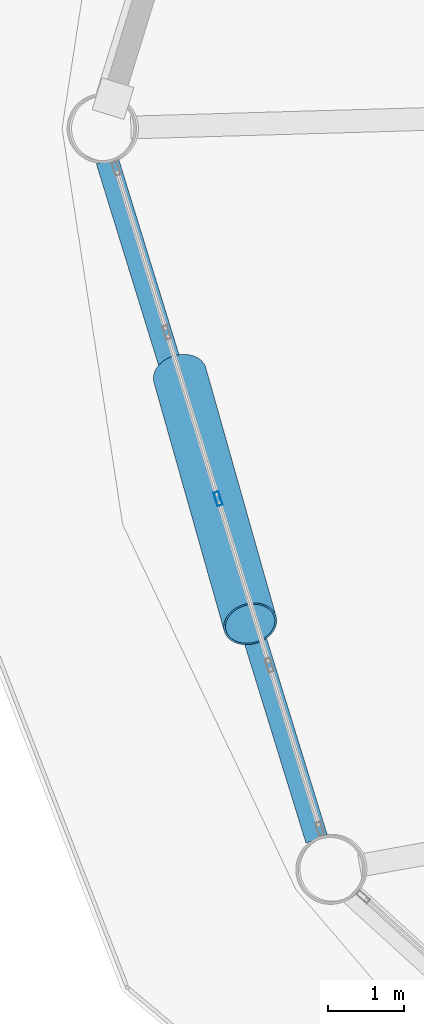
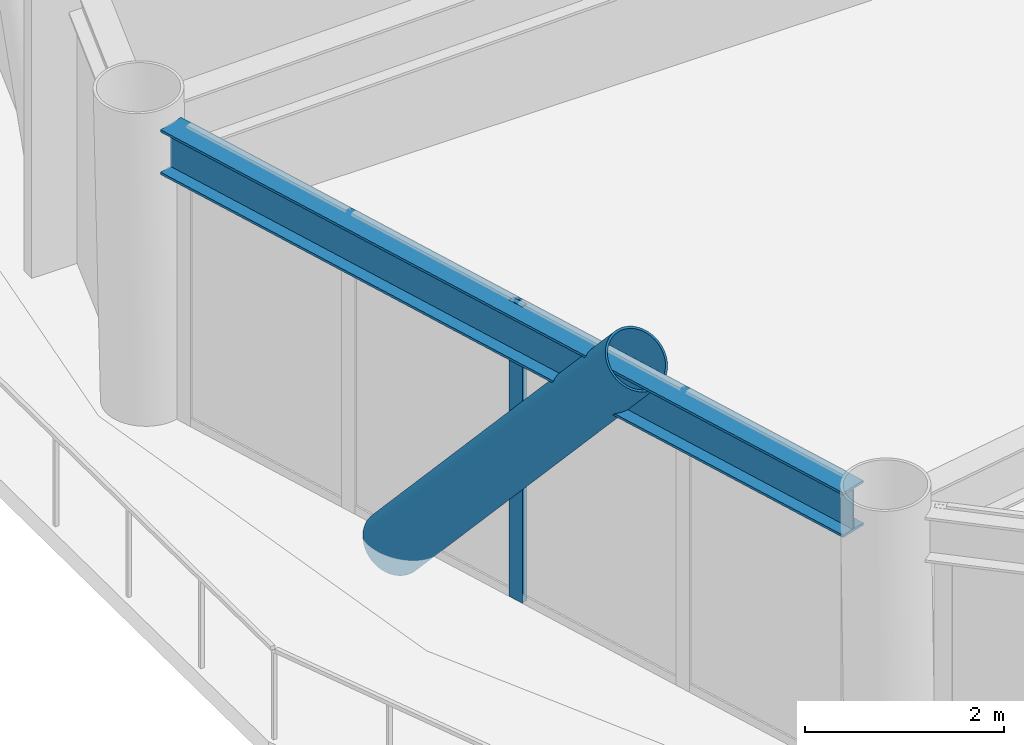
# One storey, part 3 of 22: 2 members, 1 beam, 1 element without a shape of its own.
"""IFC4 building model written with IfcOpenShell, lengths in metres."""

import ifcopenshell
import ifcopenshell.guid

model = None  # the IFC model being written
_history = None  # IfcOwnerHistory: only IFC2X3 demands one
_inside = {}  # id of a spatial element -> (the spatial element, [elements in it])
_under = {}  # id of a project, library or spatial element -> (it, [spatial elements below it])
_declared = {}  # id of a project -> (the project, [libraries it declares])
_typed = {}  # id of a type object -> (the type object, [elements of that type])
_made_of = {}  # id of a material, layer set ... -> (it, [elements and type objects made of it])


def new_model(schema):
    """Start an empty IFC model of exactly this schema.

    Asked for "IFC4X3", IfcOpenShell would pick the latest addendum, in which some entities
    have other attributes; the version numbers below select the first issue.
    IFC2X3 requires an IfcOwnerHistory on every rooted entity: one is made here for all.
    """
    global model, _history
    if schema == "IFC4X3":
        model = ifcopenshell.file(schema_version=(4, 3, 0, 0))
    else:
        model = ifcopenshell.file(schema=schema)
    _inside.clear()
    _under.clear()
    _declared.clear()
    _typed.clear()
    _made_of.clear()
    _history = None
    if model.schema == "IFC2X3":
        org = make("IfcOrganization", Name="unknown")
        user = make(
            "IfcPersonAndOrganization",
            ThePerson=make("IfcPerson", FamilyName="unknown"),
            TheOrganization=org,
        )
        app = make(
            "IfcApplication",
            ApplicationDeveloper=org,
            Version="unknown",
            ApplicationFullName="unknown",
            ApplicationIdentifier="unknown",
        )
        _history = make(
            "IfcOwnerHistory",
            OwningUser=user,
            OwningApplication=app,
            ChangeAction="ADDED",
            CreationDate=0,
        )
    return model


def make(cls, **values):
    """One entity of the class cls with the attributes given. An attribute that is None is left unset."""
    return model.create_entity(
        cls, **{name: value for name, value in values.items() if value is not None}
    )


def rooted(cls, **values):
    """An entity with a GlobalId (a new one), such as an element, a storey or a relation."""
    return make(cls, GlobalId=ifcopenshell.guid.new(), OwnerHistory=_history, **values)


def si_unit(unit_type, name, prefix=None):
    """IfcSIUnit, for example si_unit("LENGTHUNIT", "METRE", prefix="MILLI")."""
    return make("IfcSIUnit", UnitType=unit_type, Prefix=prefix, Name=name)


def assignment(units):
    """IfcUnitAssignment: the units of a project."""
    return None if units is None else make("IfcUnitAssignment", Units=units)


def point(xyz):
    """IfcCartesianPoint."""
    return None if xyz is None else make("IfcCartesianPoint", Coordinates=xyz)


def direction(xyz):
    """IfcDirection."""
    return None if xyz is None else make("IfcDirection", DirectionRatios=xyz)


def frame(location, z_axis=None, x_axis=None):
    """IfcAxis2Placement3D, a coordinate frame: its origin and axes. An axis left out is left unset."""
    return make(
        "IfcAxis2Placement3D",
        Location=point(location),
        Axis=direction(z_axis),
        RefDirection=direction(x_axis),
    )


def frame_2d(location, x_axis=None):
    """IfcAxis2Placement2D, a coordinate frame in the plane: its origin and x axis."""
    return make(
        "IfcAxis2Placement2D", Location=point(location), RefDirection=direction(x_axis)
    )


def origin():
    """The frame at (0, 0, 0) with its axes left unset."""
    return frame((0.0, 0.0, 0.0))


def origin_2d():
    """The frame at (0, 0) in the plane with its x axis left unset."""
    return frame_2d((0.0, 0.0))


def place(relative_to, where):
    """IfcLocalPlacement: puts the frame where relative to a parent placement (None: the world)."""
    return make(
        "IfcLocalPlacement", PlacementRelTo=relative_to, RelativePlacement=where
    )


def context(
    kind, dimensions, precision=None, world=None, true_north=None, identifier=None
):
    """IfcGeometricRepresentationContext, for example the 3D "Model" context."""
    return make(
        "IfcGeometricRepresentationContext",
        ContextIdentifier=identifier,
        ContextType=kind,
        CoordinateSpaceDimension=dimensions,
        Precision=precision,
        WorldCoordinateSystem=world,
        TrueNorth=true_north,
    )


def subcontext(parent, identifier, kind, view, scale=None):
    """IfcGeometricRepresentationSubContext, for example "Body" below "Model"."""
    return make(
        "IfcGeometricRepresentationSubContext",
        ContextIdentifier=identifier,
        ContextType=kind,
        ParentContext=parent,
        TargetScale=scale,
        TargetView=view,
    )


def project(units=None, contexts=None):
    """IfcProject with its units and contexts."""
    return rooted(
        "IfcProject",
        Name="project",
        RepresentationContexts=contexts,
        UnitsInContext=assignment(units),
    )


def spatial(cls, under=None, at=None, **own):
    """A site, building, storey or space (cls), placed at a placement, below another one or the project."""
    s = rooted(cls, ObjectPlacement=at, **own)
    if under is not None:
        _under.setdefault(under.id(), (under, []))[1].append(s)
    return s


def profile(cls, at=None, kind="AREA", **sizes):
    """A parametric profile (cls). Its sizes go by their IFC names, for example OverallWidth=200.0."""
    return make(cls, ProfileType=kind, Position=at, **sizes)


def hollow_rectangle(**sizes):
    """IfcRectangleHollowProfileDef."""
    return profile("IfcRectangleHollowProfileDef", **sizes)


def hollow_circle(**sizes):
    """IfcCircleHollowProfileDef."""
    return profile("IfcCircleHollowProfileDef", **sizes)


def i_section(**sizes):
    """IfcIShapeProfileDef."""
    return profile("IfcIShapeProfileDef", **sizes)


def extrude(swept, where, along, depth):
    """IfcExtrudedAreaSolid: the profile swept, set in the frame where, extruded along a direction by depth."""
    return make(
        "IfcExtrudedAreaSolid",
        SweptArea=swept,
        Position=where,
        ExtrudedDirection=direction(along),
        Depth=depth,
    )


def shape(context_of_items, identifier, shape_type, items):
    """IfcShapeRepresentation: the items that make up one representation, for example the "Body"."""
    return make(
        "IfcShapeRepresentation",
        ContextOfItems=context_of_items,
        RepresentationIdentifier=identifier,
        RepresentationType=shape_type,
        Items=items,
    )


def material(Name=None, Category=None):
    """IfcMaterial."""
    return make("IfcMaterial", Name=Name, Category=Category)


def layer(
    of_material, thickness, ventilated=None, Name=None, Category=None, Priority=None
):
    """IfcMaterialLayer: one layer of a wall or slab, of a material (None: an air gap)."""
    return make(
        "IfcMaterialLayer",
        Material=of_material,
        LayerThickness=thickness,
        IsVentilated=ventilated,
        Name=Name,
        Category=Category,
        Priority=Priority,
    )


def layer_set(layers, Name=None):
    """IfcMaterialLayerSet."""
    return make("IfcMaterialLayerSet", MaterialLayers=layers, LayerSetName=Name)


def material_profile(
    of_material, cross_section, Name=None, Category=None, Priority=None
):
    """IfcMaterialProfile: a cross section and its material."""
    return make(
        "IfcMaterialProfile",
        Name=Name,
        Material=of_material,
        Profile=cross_section,
        Priority=Priority,
        Category=Category,
    )


def profile_set(profiles, Name=None, composite=None):
    """IfcMaterialProfileSet."""
    return make(
        "IfcMaterialProfileSet",
        Name=Name,
        MaterialProfiles=profiles,
        CompositeProfile=composite,
    )


def made_of(thing, what):
    """Note that an element or type object is made of a material, layer set ...; save() writes the relation."""
    if what is not None:
        _made_of.setdefault(what.id(), (what, []))[1].append(thing)
    return thing


def type_object(cls, material=None, **own):
    """A type object (cls), such as IfcWallType, which elements share."""
    return made_of(rooted(cls, **own), material)


def element(
    cls,
    number,
    at=None,
    inside=None,
    cuts=None,
    type_object=None,
    material=None,
    context=None,
    identifier="Body",
    shape_type=None,
    held_by="IfcProductDefinitionShape",
    body=None,
    shapes=None,
    **own,
):
    """One element of the class cls, such as IfcWall. Its Tag is "e" and its number.

    at: its placement. inside: the storey or other place that contains it. cuts: it is an
    opening in that element (IfcRelVoidsElement). A single representation is given by context,
    identifier, shape_type and body (its items); several are given by shapes. held_by: the class
    of the entity that holds the representations. save() writes the other relations.
    """
    e = rooted(cls, Tag="e%d" % number, ObjectPlacement=at, **own)
    if body is not None:
        shapes = [shape(context, identifier, shape_type, body)]
    if shapes is not None:
        e.Representation = make(held_by, Representations=shapes)
    if inside is not None:
        _inside.setdefault(inside.id(), (inside, []))[1].append(e)
    if cuts is not None:
        rooted(
            "IfcRelVoidsElement", RelatingBuildingElement=cuts, RelatedOpeningElement=e
        )
    if type_object is not None:
        _typed.setdefault(type_object.id(), (type_object, []))[1].append(e)
    return made_of(e, material)


def aggregate(whole, parts):
    """IfcRelAggregates: a whole, such as a stair, and the parts it consists of."""
    return rooted("IfcRelAggregates", RelatingObject=whole, RelatedObjects=parts)


def save(model, path):
    """Write the relations noted so far, then the file.

    IfcRelAggregates (storeys below a building ...), IfcRelContainedInSpatialStructure (elements
    in a storey), IfcRelDefinesByType, IfcRelAssociatesMaterial and IfcRelDeclares: one each for
    every whole, place, type object, material and project.
    """
    for whole, parts in _under.values():
        aggregate(whole, parts)
    for where, things in _inside.values():
        rooted(
            "IfcRelContainedInSpatialStructure",
            RelatedElements=things,
            RelatingStructure=where,
        )
    for kind, things in _typed.values():
        rooted("IfcRelDefinesByType", RelatedObjects=things, RelatingType=kind)
    for what, things in _made_of.values():
        rooted("IfcRelAssociatesMaterial", RelatedObjects=things, RelatingMaterial=what)
    for by, libraries in _declared.values():
        rooted("IfcRelDeclares", RelatingContext=by, RelatedDefinitions=libraries)
    model.write(path)


model = new_model("IFC4")

# Units and contexts
model_context = context("Model", 3, precision=1e-05, world=origin(), true_north=direction((0.0, 1.0)))
body_context = subcontext(model_context, "Body", "Model", "MODEL_VIEW")
ifc_project = project(units=[si_unit("LENGTHUNIT", "METRE"), si_unit("AREAUNIT", "SQUARE_METRE"), si_unit("VOLUMEUNIT", "CUBIC_METRE"), si_unit("PLANEANGLEUNIT", "RADIAN"), si_unit("MASSUNIT", "GRAM", prefix="KILO")], contexts=[model_context])

# Site, building, storey
site_placement = place(None, origin())
site = spatial("IfcSite", under=ifc_project, at=site_placement, CompositionType="ELEMENT")
building_placement = place(site_placement, origin())
building = spatial("IfcBuilding", under=site, at=building_placement, Name="Varnakorn Sky Granary", CompositionType="ELEMENT")
storey_placement = place(building_placement, frame((0.0, 0.0, 66.60009765625)))
storey = spatial("IfcBuildingStorey", under=building, at=storey_placement, Name="L16", CompositionType="ELEMENT", Elevation=66.60009765625)

# Beam
ifc_material_1 = material(Name="Steel S355JR", Category="steel")
ifc_material_profile_1 = material_profile(ifc_material_1, i_section(OverallWidth=0.300048828125, OverallDepth=0.550048828125, WebThickness=0.014892578125, FlangeThickness=0.029052734375, at=origin_2d()), Name="HE 550 B")
ifc_profile_set_1 = profile_set([ifc_material_profile_1], Name="Steel S355JR")
beam_type = type_object("IfcBeamType", Name="BM-SPD-Z1", PredefinedType="SPANDREL", material=ifc_profile_set_1)
beam_placement = place(storey_placement, frame((-23.063720703125, -0.42236328125, 3.364990234375), z_axis=(0.29490058875, -0.955527939285, 0.0), x_axis=(0.955527939285, 0.29490058875, 0.0)))
element("IfcBeam", 1, at=beam_placement, inside=storey, type_object=beam_type, Name="Perimeter Spandrel Ring Beam RB07 L16", PredefinedType="SPANDREL", context=body_context, shape_type="SweptSolid", body=[
    extrude(i_section(OverallWidth=0.300048828125, OverallDepth=0.550048828125, WebThickness=0.014892578125, FlangeThickness=0.029052734375, at=origin_2d()), origin(), (0.0, 0.0, 1.0), 9.369140625),
])

# Curtain wall, member
ifc_material_2 = material(Name="Anodised Bronze Aluminium Alloy 6063-T6", Category="aluminium")
ifc_layer = layer(ifc_material_2, 0.18994140625, Name="Anodised Bronze Aluminium Alloy 6063-T6")
ifc_layer_set = layer_set([ifc_layer], Name="Anodised Bronze Aluminium Alloy 6063-T6")
curtain_wall_type = type_object("IfcCurtainWallType", Name="CW-FRM-1", PredefinedType="USERDEFINED", material=ifc_layer_set)
curtain_wall_placement = place(storey_placement, origin())
curtain_wall = element("IfcCurtainWall", 2, at=curtain_wall_placement, inside=storey, type_object=curtain_wall_type, Name="Unitised Curtain Wall CW3 CW-L16-B07", ObjectType="CURTAIN WALL", PredefinedType="USERDEFINED")
ifc_material_profile_2 = material_profile(ifc_material_2, hollow_rectangle(XDim=0.070068359375, YDim=0.18505859375, WallThickness=0.00390625, at=origin_2d()), Name="ALU MULL 70x185")
ifc_profile_set_2 = profile_set([ifc_material_profile_2], Name="Anodised Bronze Aluminium Alloy 6063-T6")
member_type_1 = type_object("IfcMemberType", Name="CW-FRM-1-MULL", PredefinedType="MULLION", material=ifc_profile_set_2)
member_1_placement = place(storey_placement, frame((-21.60302734375, -4.8818359375, 0.0), z_axis=(0.0, 0.0, 1.0), x_axis=(-0.955563090917, -0.2947866674, 0.0)))
member_1 = element("IfcMember", 3, at=member_1_placement, type_object=member_type_1, Name="CW3 mullion 3", PredefinedType="MULLION", context=body_context, shape_type="SweptSolid", body=[
    extrude(hollow_rectangle(XDim=0.070068359375, YDim=0.18505859375, WallThickness=0.00390625, at=origin_2d()), origin(), (0.0, 0.0, 1.0), 3.639892578125),
])
aggregate(curtain_wall, [member_1])

# Member
ifc_material_3 = material(Name="Steel S460M", Category="steel")
ifc_material_profile_3 = material_profile(ifc_material_3, hollow_circle(Radius=0.35546875, WallThickness=0.02490234375, at=origin_2d()), Name="CHS 711x25")
ifc_profile_set_3 = profile_set([ifc_material_profile_3], Name="Steel S460M")
member_type_2 = type_object("IfcMemberType", Name="MB-DIAG-T0", PredefinedType="BRACE", material=ifc_profile_set_3)
member_2_placement = place(storey_placement, frame((-22.10498046875, -3.25439453125, -0.130126953125), z_axis=(0.178433258049, -0.631075412261, 0.754920788203), x_axis=(0.962275133016, 0.272078239443, 0.0)))
element("IfcMember", 4, at=member_2_placement, inside=storey, type_object=member_type_2, Name="Perimeter CHS Diagrid Brace DG07 L16", PredefinedType="BRACE", context=body_context, shape_type="SweptSolid", body=[
    extrude(hollow_circle(Radius=0.35546875, WallThickness=0.02490234375, at=origin_2d()), origin(), (0.0, 0.0, 1.0), 5.1923828125),
])

save(model, "model.ifc")
